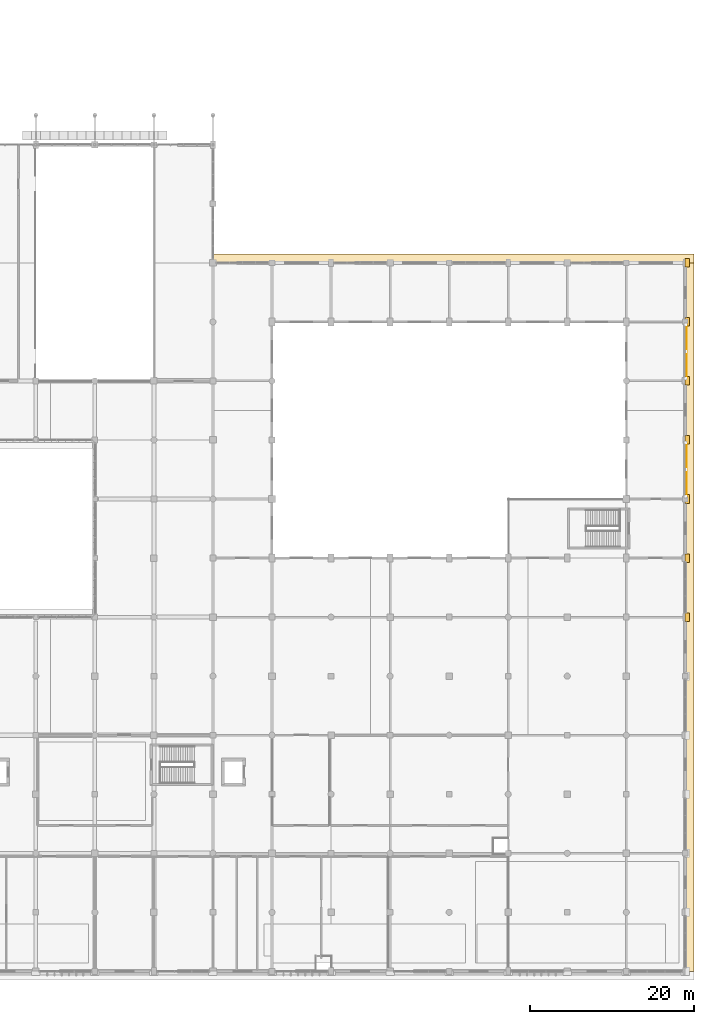
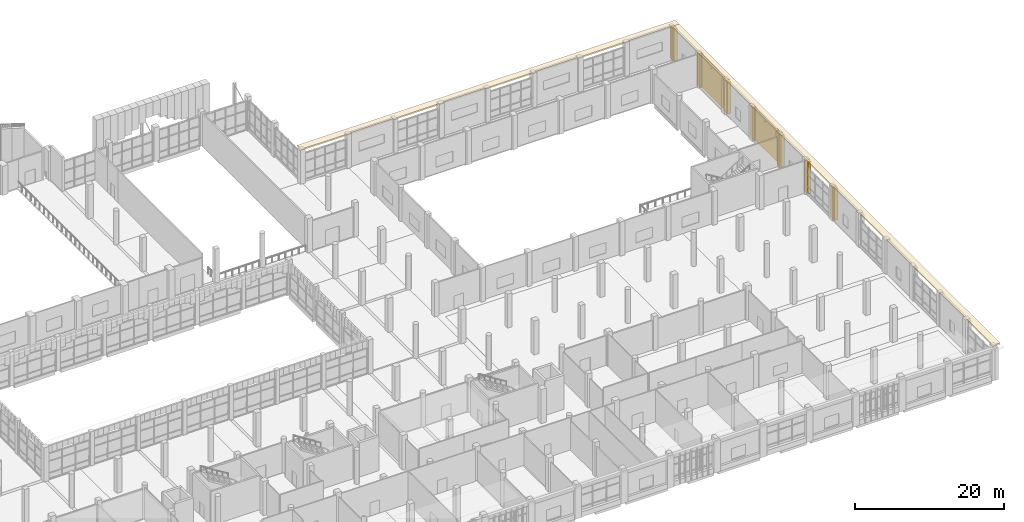
# One storey, part 80 of 80: 11 coverings.
"""IFC4 building model written with IfcOpenShell, lengths in metres."""

from ifc_helpers import new_model, si_unit, direction, frame, frame_2d, origin, place, context, subcontext, project, spatial, polyline, rectangle, outline, extrude, material, layer, layer_set, type_object, element, save


model = new_model("IFC4")

# Units and contexts
model_context = context("Model", 3, precision=1e-05, world=origin(), true_north=direction((0.0, 1.0)))
body_context = subcontext(model_context, "Body", "Model", "MODEL_VIEW")
ifc_project = project(units=[si_unit("LENGTHUNIT", "METRE"), si_unit("AREAUNIT", "SQUARE_METRE"), si_unit("VOLUMEUNIT", "CUBIC_METRE"), si_unit("PLANEANGLEUNIT", "RADIAN"), si_unit("MASSUNIT", "GRAM", prefix="KILO")], contexts=[model_context])

# Site, building, storey
site_placement = place(None, origin())
site = spatial("IfcSite", under=ifc_project, at=site_placement, CompositionType="ELEMENT")
building_placement = place(site_placement, origin())
building = spatial("IfcBuilding", under=site, at=building_placement, Name="Sardonyx Promenade Sports Hall", CompositionType="ELEMENT")
storey_placement = place(building_placement, frame((0.0, 0.0, 5.60009765625)))
storey = spatial("IfcBuildingStorey", under=building, at=storey_placement, Name="L01", CompositionType="ELEMENT", Elevation=5.60009765625)

# Coverings
ifc_material_1 = material(Name="Dressed Cape red sandstone cornice", Category="masonry")
ifc_layer_1 = layer(ifc_material_1, 0.139892578125)
ifc_layer_set_1 = layer_set([ifc_layer_1], Name="Cov_Chhajja_Eave")
covering_type_1 = type_object("IfcCoveringType", Name="Cov_Chhajja_Eave", PredefinedType="MOLDING", material=ifc_layer_set_1)
covering_1_placement = place(storey_placement, frame((0.0, 0.0, 5.25)))
element("IfcCovering", 1, at=covering_1_placement, inside=storey, type_object=covering_type_1, Name="East facade L01 chhajja cornice", PredefinedType="MOLDING", context=body_context, shape_type="SweptSolid", body=[
    extrude(outline(polyline([(165.550048828125, 0.0), (166.64990234375, 0.0), (166.64990234375, 86.5), (165.550048828125, 86.5), (165.550048828125, 0.0)])), origin(), (0.0, 0.0, 1.0), 0.219970703125),
])
covering_2_placement = place(storey_placement, frame((0.0, 0.0, 5.25)))
element("IfcCovering", 2, at=covering_2_placement, inside=storey, type_object=covering_type_1, Name="Practice hall upper chhajja cornice", PredefinedType="MOLDING", context=body_context, shape_type="SweptSolid", body=[
    extrude(outline(polyline([(107.949951171875, 86.35009765625), (166.64990234375, 86.35009765625), (166.64990234375, 87.449951171875), (107.949951171875, 87.449951171875), (107.949951171875, 86.35009765625)])), origin(), (0.0, 0.0, 1.0), 0.219970703125),
])
ifc_material_2 = material(Name="Dressed Cape red sandstone ashlar", Category="masonry")
ifc_layer_2 = layer(ifc_material_2, 0.06005859375)
ifc_layer_set_2 = layer_set([ifc_layer_2], Name="Cov_Cladding_Sandstone")
covering_type_2 = type_object("IfcCoveringType", Name="Cov_Cladding_Sandstone", PredefinedType="CLADDING", material=ifc_layer_set_2)
covering_3_placement = place(storey_placement, frame((165.77490234375, 78.864990234375, 0.0498046875), z_axis=(0.0, 0.0, 1.0), x_axis=(0.0, -1.0, 0.0)))
element("IfcCovering", 3, at=covering_3_placement, inside=storey, type_object=covering_type_2, Name="Dressed sandstone ashlar cladding L01 #105", PredefinedType="CLADDING", context=body_context, shape_type="SweptSolid", body=[
    extrude(rectangle(XDim=6.47998046875, YDim=0.050048828125, at=frame_2d((3.239990234375, 0.0))), origin(), (0.0, 0.0, 1.0), 5.5),
])
covering_4_placement = place(storey_placement, frame((165.77490234375, 64.364990234375, 0.0498046875), z_axis=(0.0, 0.0, 1.0), x_axis=(0.0, -1.0, 0.0)))
element("IfcCovering", 4, at=covering_4_placement, inside=storey, type_object=covering_type_2, Name="Dressed sandstone ashlar cladding L01 #107", PredefinedType="CLADDING", context=body_context, shape_type="SweptSolid", body=[
    extrude(rectangle(XDim=6.429931640625, YDim=0.050048828125, at=frame_2d((3.21484375, 0.0))), origin(), (0.0, 0.0, 1.0), 5.5),
])
covering_5_placement = place(storey_placement, origin())
element("IfcCovering", 5, at=covering_5_placement, inside=storey, type_object=covering_type_2, Name="East sandstone pier casing L01 #6", PredefinedType="CLADDING", context=body_context, shape_type="SweptSolid", body=[
    extrude(outline(polyline([(165.580078125, 42.679931640625), (166.080078125, 42.679931640625), (166.080078125, 43.719970703125), (165.580078125, 43.719970703125), (165.580078125, 42.679931640625)])), origin(), (0.0, 0.0, 1.0), 5.25),
])
covering_6_placement = place(storey_placement, origin())
element("IfcCovering", 6, at=covering_6_placement, inside=storey, type_object=covering_type_2, Name="East sandstone pier casing L01 #7", PredefinedType="CLADDING", context=body_context, shape_type="SweptSolid", body=[
    extrude(outline(polyline([(165.580078125, 49.8798828125), (166.080078125, 49.8798828125), (166.080078125, 50.919921875), (165.580078125, 50.919921875), (165.580078125, 49.8798828125)])), origin(), (0.0, 0.0, 1.0), 5.25),
])
covering_7_placement = place(storey_placement, origin())
element("IfcCovering", 7, at=covering_7_placement, inside=storey, type_object=covering_type_2, Name="East sandstone pier casing L01 #8", PredefinedType="CLADDING", context=body_context, shape_type="SweptSolid", body=[
    extrude(outline(polyline([(165.580078125, 57.080078125), (166.080078125, 57.080078125), (166.080078125, 58.1201171875), (165.580078125, 58.1201171875), (165.580078125, 57.080078125)])), origin(), (0.0, 0.0, 1.0), 5.25),
])
covering_8_placement = place(storey_placement, origin())
element("IfcCovering", 8, at=covering_8_placement, inside=storey, type_object=covering_type_2, Name="East sandstone pier casing L01 #9", PredefinedType="CLADDING", context=body_context, shape_type="SweptSolid", body=[
    extrude(outline(polyline([(165.580078125, 64.280029296875), (166.080078125, 64.280029296875), (166.080078125, 65.320068359375), (165.580078125, 65.320068359375), (165.580078125, 64.280029296875)])), origin(), (0.0, 0.0, 1.0), 5.25),
])
covering_9_placement = place(storey_placement, origin())
element("IfcCovering", 9, at=covering_9_placement, inside=storey, type_object=covering_type_2, Name="East sandstone pier casing L01 #10", PredefinedType="CLADDING", context=body_context, shape_type="SweptSolid", body=[
    extrude(outline(polyline([(165.580078125, 71.47998046875), (166.080078125, 71.47998046875), (166.080078125, 72.52001953125), (165.580078125, 72.52001953125), (165.580078125, 71.47998046875)])), origin(), (0.0, 0.0, 1.0), 5.25),
])
covering_10_placement = place(storey_placement, origin())
element("IfcCovering", 10, at=covering_10_placement, inside=storey, type_object=covering_type_2, Name="East sandstone pier casing L01 #11", PredefinedType="CLADDING", context=body_context, shape_type="SweptSolid", body=[
    extrude(outline(polyline([(165.580078125, 78.679931640625), (166.080078125, 78.679931640625), (166.080078125, 79.719970703125), (165.580078125, 79.719970703125), (165.580078125, 78.679931640625)])), origin(), (0.0, 0.0, 1.0), 5.25),
])
covering_11_placement = place(storey_placement, origin())
element("IfcCovering", 11, at=covering_11_placement, inside=storey, type_object=covering_type_2, Name="East sandstone pier casing L01 #12", PredefinedType="CLADDING", context=body_context, shape_type="SweptSolid", body=[
    extrude(outline(polyline([(165.580078125, 85.8798828125), (166.080078125, 85.8798828125), (166.080078125, 86.919921875), (165.580078125, 86.919921875), (165.580078125, 85.8798828125)])), origin(), (0.0, 0.0, 1.0), 5.25),
])

save(model, "model.ifc")
